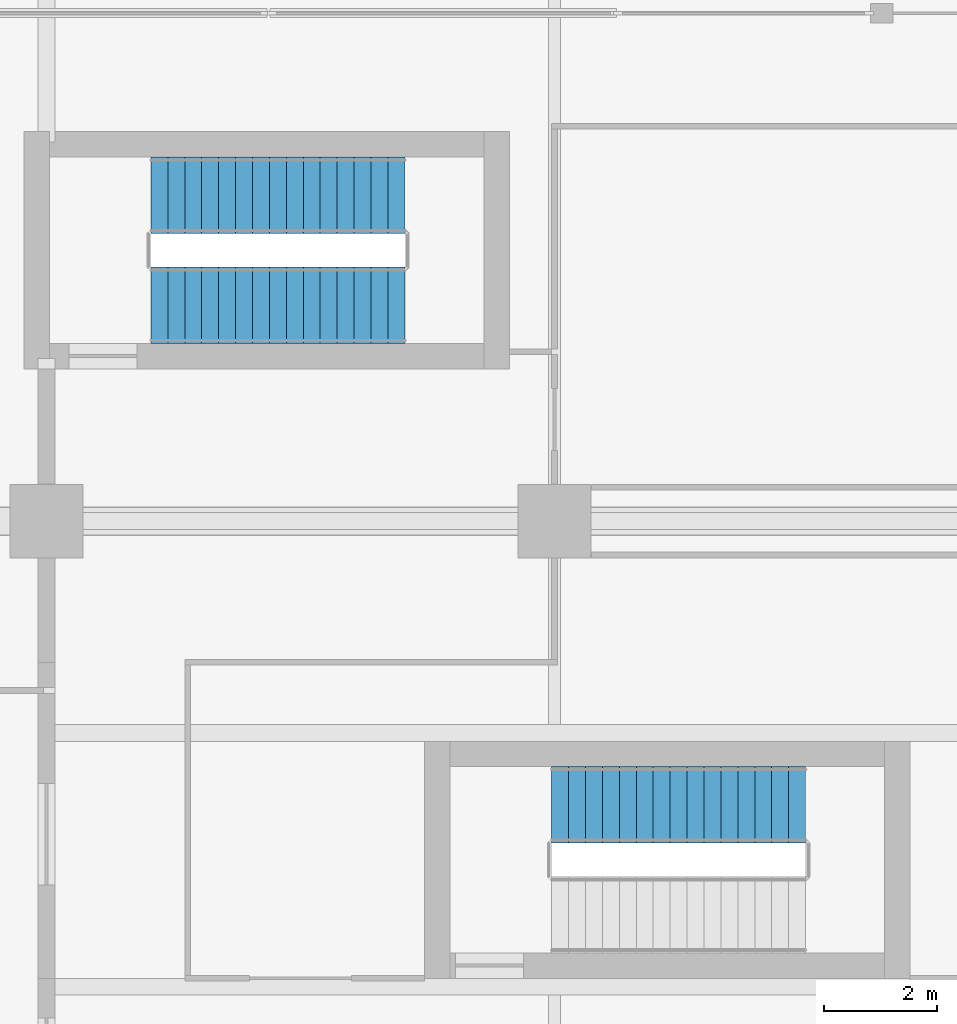
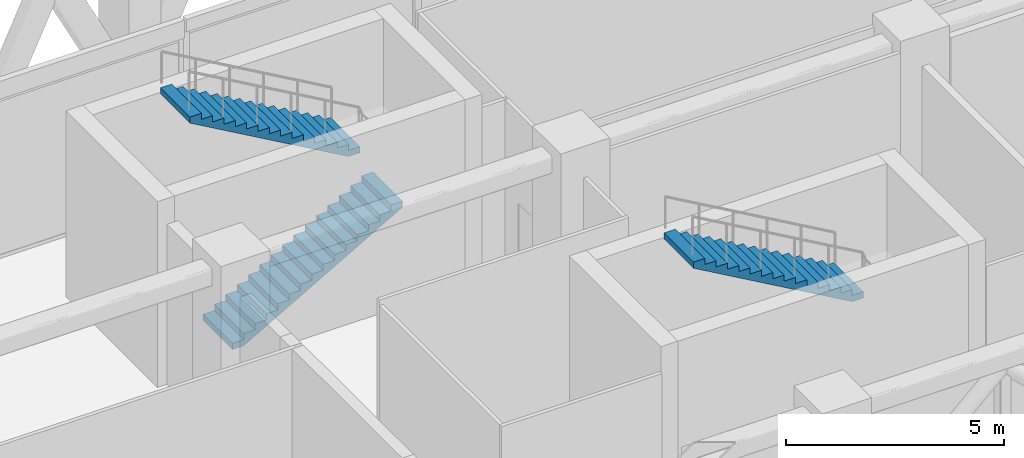
# One storey, part 26 of 37: 3 stair flights, 2 elements without a shape of their own.
"""IFC4 building model written with IfcOpenShell, lengths in metres."""

import ifcopenshell
import ifcopenshell.guid

model = None  # the IFC model being written
_history = None  # IfcOwnerHistory: only IFC2X3 demands one
_inside = {}  # id of a spatial element -> (the spatial element, [elements in it])
_under = {}  # id of a project, library or spatial element -> (it, [spatial elements below it])
_declared = {}  # id of a project -> (the project, [libraries it declares])
_typed = {}  # id of a type object -> (the type object, [elements of that type])
_made_of = {}  # id of a material, layer set ... -> (it, [elements and type objects made of it])


def new_model(schema):
    """Start an empty IFC model of exactly this schema.

    Asked for "IFC4X3", IfcOpenShell would pick the latest addendum, in which some entities
    have other attributes; the version numbers below select the first issue.
    IFC2X3 requires an IfcOwnerHistory on every rooted entity: one is made here for all.
    """
    global model, _history
    if schema == "IFC4X3":
        model = ifcopenshell.file(schema_version=(4, 3, 0, 0))
    else:
        model = ifcopenshell.file(schema=schema)
    _inside.clear()
    _under.clear()
    _declared.clear()
    _typed.clear()
    _made_of.clear()
    _history = None
    if model.schema == "IFC2X3":
        org = make("IfcOrganization", Name="unknown")
        user = make(
            "IfcPersonAndOrganization",
            ThePerson=make("IfcPerson", FamilyName="unknown"),
            TheOrganization=org,
        )
        app = make(
            "IfcApplication",
            ApplicationDeveloper=org,
            Version="unknown",
            ApplicationFullName="unknown",
            ApplicationIdentifier="unknown",
        )
        _history = make(
            "IfcOwnerHistory",
            OwningUser=user,
            OwningApplication=app,
            ChangeAction="ADDED",
            CreationDate=0,
        )
    return model


def make(cls, **values):
    """One entity of the class cls with the attributes given. An attribute that is None is left unset."""
    return model.create_entity(
        cls, **{name: value for name, value in values.items() if value is not None}
    )


def rooted(cls, **values):
    """An entity with a GlobalId (a new one), such as an element, a storey or a relation."""
    return make(cls, GlobalId=ifcopenshell.guid.new(), OwnerHistory=_history, **values)


def si_unit(unit_type, name, prefix=None):
    """IfcSIUnit, for example si_unit("LENGTHUNIT", "METRE", prefix="MILLI")."""
    return make("IfcSIUnit", UnitType=unit_type, Prefix=prefix, Name=name)


def assignment(units):
    """IfcUnitAssignment: the units of a project."""
    return None if units is None else make("IfcUnitAssignment", Units=units)


def point(xyz):
    """IfcCartesianPoint."""
    return None if xyz is None else make("IfcCartesianPoint", Coordinates=xyz)


def direction(xyz):
    """IfcDirection."""
    return None if xyz is None else make("IfcDirection", DirectionRatios=xyz)


def frame(location, z_axis=None, x_axis=None):
    """IfcAxis2Placement3D, a coordinate frame: its origin and axes. An axis left out is left unset."""
    return make(
        "IfcAxis2Placement3D",
        Location=point(location),
        Axis=direction(z_axis),
        RefDirection=direction(x_axis),
    )


def origin():
    """The frame at (0, 0, 0) with its axes left unset."""
    return frame((0.0, 0.0, 0.0))


def place(relative_to, where):
    """IfcLocalPlacement: puts the frame where relative to a parent placement (None: the world)."""
    return make(
        "IfcLocalPlacement", PlacementRelTo=relative_to, RelativePlacement=where
    )


def context(
    kind, dimensions, precision=None, world=None, true_north=None, identifier=None
):
    """IfcGeometricRepresentationContext, for example the 3D "Model" context."""
    return make(
        "IfcGeometricRepresentationContext",
        ContextIdentifier=identifier,
        ContextType=kind,
        CoordinateSpaceDimension=dimensions,
        Precision=precision,
        WorldCoordinateSystem=world,
        TrueNorth=true_north,
    )


def subcontext(parent, identifier, kind, view, scale=None):
    """IfcGeometricRepresentationSubContext, for example "Body" below "Model"."""
    return make(
        "IfcGeometricRepresentationSubContext",
        ContextIdentifier=identifier,
        ContextType=kind,
        ParentContext=parent,
        TargetScale=scale,
        TargetView=view,
    )


def project(units=None, contexts=None):
    """IfcProject with its units and contexts."""
    return rooted(
        "IfcProject",
        Name="project",
        RepresentationContexts=contexts,
        UnitsInContext=assignment(units),
    )


def spatial(cls, under=None, at=None, **own):
    """A site, building, storey or space (cls), placed at a placement, below another one or the project."""
    s = rooted(cls, ObjectPlacement=at, **own)
    if under is not None:
        _under.setdefault(under.id(), (under, []))[1].append(s)
    return s


def polyline(points):
    """IfcPolyline through the points."""
    return make("IfcPolyline", Points=[point(p) for p in points])


def outline(outer, holes=None, kind="AREA"):
    """IfcArbitraryClosedProfileDef: a profile drawn as a closed curve; with holes, ...WithVoids."""
    if holes is None:
        return make("IfcArbitraryClosedProfileDef", ProfileType=kind, OuterCurve=outer)
    return make(
        "IfcArbitraryProfileDefWithVoids",
        ProfileType=kind,
        OuterCurve=outer,
        InnerCurves=holes,
    )


def extrude(swept, where, along, depth):
    """IfcExtrudedAreaSolid: the profile swept, set in the frame where, extruded along a direction by depth."""
    return make(
        "IfcExtrudedAreaSolid",
        SweptArea=swept,
        Position=where,
        ExtrudedDirection=direction(along),
        Depth=depth,
    )


def shape(context_of_items, identifier, shape_type, items):
    """IfcShapeRepresentation: the items that make up one representation, for example the "Body"."""
    return make(
        "IfcShapeRepresentation",
        ContextOfItems=context_of_items,
        RepresentationIdentifier=identifier,
        RepresentationType=shape_type,
        Items=items,
    )


def material(Name=None, Category=None):
    """IfcMaterial."""
    return make("IfcMaterial", Name=Name, Category=Category)


def made_of(thing, what):
    """Note that an element or type object is made of a material, layer set ...; save() writes the relation."""
    if what is not None:
        _made_of.setdefault(what.id(), (what, []))[1].append(thing)
    return thing


def type_object(cls, material=None, **own):
    """A type object (cls), such as IfcWallType, which elements share."""
    return made_of(rooted(cls, **own), material)


def element(
    cls,
    number,
    at=None,
    inside=None,
    cuts=None,
    type_object=None,
    material=None,
    context=None,
    identifier="Body",
    shape_type=None,
    held_by="IfcProductDefinitionShape",
    body=None,
    shapes=None,
    **own,
):
    """One element of the class cls, such as IfcWall. Its Tag is "e" and its number.

    at: its placement. inside: the storey or other place that contains it. cuts: it is an
    opening in that element (IfcRelVoidsElement). A single representation is given by context,
    identifier, shape_type and body (its items); several are given by shapes. held_by: the class
    of the entity that holds the representations. save() writes the other relations.
    """
    e = rooted(cls, Tag="e%d" % number, ObjectPlacement=at, **own)
    if body is not None:
        shapes = [shape(context, identifier, shape_type, body)]
    if shapes is not None:
        e.Representation = make(held_by, Representations=shapes)
    if inside is not None:
        _inside.setdefault(inside.id(), (inside, []))[1].append(e)
    if cuts is not None:
        rooted(
            "IfcRelVoidsElement", RelatingBuildingElement=cuts, RelatedOpeningElement=e
        )
    if type_object is not None:
        _typed.setdefault(type_object.id(), (type_object, []))[1].append(e)
    return made_of(e, material)


def aggregate(whole, parts):
    """IfcRelAggregates: a whole, such as a stair, and the parts it consists of."""
    return rooted("IfcRelAggregates", RelatingObject=whole, RelatedObjects=parts)


def save(model, path):
    """Write the relations noted so far, then the file.

    IfcRelAggregates (storeys below a building ...), IfcRelContainedInSpatialStructure (elements
    in a storey), IfcRelDefinesByType, IfcRelAssociatesMaterial and IfcRelDeclares: one each for
    every whole, place, type object, material and project.
    """
    for whole, parts in _under.values():
        aggregate(whole, parts)
    for where, things in _inside.values():
        rooted(
            "IfcRelContainedInSpatialStructure",
            RelatedElements=things,
            RelatingStructure=where,
        )
    for kind, things in _typed.values():
        rooted("IfcRelDefinesByType", RelatedObjects=things, RelatingType=kind)
    for what, things in _made_of.values():
        rooted("IfcRelAssociatesMaterial", RelatedObjects=things, RelatingMaterial=what)
    for by, libraries in _declared.values():
        rooted("IfcRelDeclares", RelatingContext=by, RelatedDefinitions=libraries)
    model.write(path)


model = new_model("IFC4")

# Units and contexts
model_context = context("Model", 3, precision=1e-05, world=origin(), true_north=direction((0.0, 1.0)))
body_context = subcontext(model_context, "Body", "Model", "MODEL_VIEW")
ifc_project = project(units=[si_unit("LENGTHUNIT", "METRE"), si_unit("AREAUNIT", "SQUARE_METRE"), si_unit("VOLUMEUNIT", "CUBIC_METRE"), si_unit("PLANEANGLEUNIT", "RADIAN"), si_unit("MASSUNIT", "GRAM", prefix="KILO")], contexts=[model_context])

# Site, building, storey
site_placement = place(None, origin())
site = spatial("IfcSite", under=ifc_project, at=site_placement, CompositionType="ELEMENT")
building_placement = place(site_placement, origin())
building = spatial("IfcBuilding", under=site, at=building_placement, Name="Brondeck Convention Tower", CompositionType="ELEMENT")
storey_placement = place(building_placement, frame((0.0, 0.0, 137.89990234375)))
storey = spatial("IfcBuildingStorey", under=building, at=storey_placement, Name="L33", CompositionType="ELEMENT", Elevation=137.89990234375)

# Stair, stair flights
ifc_material = material(Name="Precast concrete C50/60", Category="concrete")
stair_type = type_object("IfcStairType", Name="Core stair 32 risers 171.88 mm riser 300 mm going 1350 wide", PredefinedType="HALF_TURN_STAIR", material=ifc_material)
stair_1_placement = place(storey_placement, origin())
stair_1 = element("IfcStair", 1, at=stair_1_placement, inside=storey, type_object=stair_type, Name="ST-AE L33 stair", PredefinedType="HALF_TURN_STAIR")
stair_flight_type = type_object("IfcStairFlightType", Name="Core stair flight 32 risers 171.88 mm riser 300 mm going 1350 wide", PredefinedType="STRAIGHT", material=ifc_material)
stair_flight_1_placement = place(storey_placement, frame((37.85009765625, 54.824951171875, 0.0), z_axis=(0.0, 0.0, 1.0), x_axis=(1.0, 0.0, 0.0)))
stair_flight_1 = element("IfcStairFlight", 2, at=stair_flight_1_placement, type_object=stair_flight_type, Name="ST-AE flight 1", NumberOfRisers=16, NumberOfTreads=15, PredefinedType="STRAIGHT", RiserHeight=0.171875, TreadLength=0.3, context=body_context, shape_type="SweptSolid", body=[
    extrude(outline(polyline([(0.0, 0.0), (0.0, 0.171875), (0.300048828125, 0.171875), (0.300048828125, 0.34375), (0.60009765625, 0.34375), (0.60009765625, 0.515625), (0.89990234375, 0.515625), (0.89990234375, 0.6875), (1.199951171875, 0.6875), (1.199951171875, 0.859375), (1.5, 0.859375), (1.5, 1.03125), (1.800048828125, 1.03125), (1.800048828125, 1.203125), (2.10009765625, 1.203125), (2.10009765625, 1.375), (2.39990234375, 1.375), (2.39990234375, 1.546875), (2.699951171875, 1.546875), (2.699951171875, 1.71875), (3.0, 1.71875), (3.0, 1.890625), (3.300048828125, 1.890625), (3.300048828125, 2.0625), (3.60009765625, 2.0625), (3.60009765625, 2.234375), (3.89990234375, 2.234375), (3.89990234375, 2.40625), (4.199951171875, 2.40625), (4.199951171875, 2.578125), (4.5, 2.578125), (4.5, 2.75), (4.5, 2.4052734375), (0.301513671875, 0.0), (0.0, 0.0)])), frame((0.0, 0.675048828125, 0.0), z_axis=(0.0, -1.0, 0.0), x_axis=(1.0, 0.0, 0.0)), (0.0, 0.0, 1.0), 1.35009765625),
])
stair_flight_2_placement = place(storey_placement, frame((42.35009765625, 56.77490234375, 2.75), z_axis=(0.0, 0.0, 1.0), x_axis=(-1.0, 0.0, 0.0)))
stair_flight_2 = element("IfcStairFlight", 3, at=stair_flight_2_placement, type_object=stair_flight_type, Name="ST-AE flight 2", NumberOfRisers=16, NumberOfTreads=15, PredefinedType="STRAIGHT", RiserHeight=0.171875, TreadLength=0.3, context=body_context, shape_type="SweptSolid", body=[
    extrude(outline(polyline([(0.0, 0.0), (0.0, 0.171875), (0.300048828125, 0.171875), (0.300048828125, 0.34375), (0.60009765625, 0.34375), (0.60009765625, 0.515625), (0.89990234375, 0.515625), (0.89990234375, 0.6875), (1.199951171875, 0.6875), (1.199951171875, 0.859375), (1.5, 0.859375), (1.5, 1.03125), (1.800048828125, 1.03125), (1.800048828125, 1.203125), (2.10009765625, 1.203125), (2.10009765625, 1.375), (2.39990234375, 1.375), (2.39990234375, 1.546875), (2.699951171875, 1.546875), (2.699951171875, 1.71875), (3.0, 1.71875), (3.0, 1.890625), (3.300048828125, 1.890625), (3.300048828125, 2.0625), (3.60009765625, 2.0625), (3.60009765625, 2.234375), (3.89990234375, 2.234375), (3.89990234375, 2.40625), (4.199951171875, 2.40625), (4.199951171875, 2.578125), (4.5, 2.578125), (4.5, 2.75), (4.5, 2.4052734375), (0.301513671875, 0.0), (0.0, 0.0)])), frame((0.0, 0.675048828125, 0.0), z_axis=(0.0, -1.0, 0.0), x_axis=(1.0, 0.0, 0.0)), (0.0, 0.0, 1.0), 1.35009765625),
])
aggregate(stair_1, [stair_flight_1, stair_flight_2])

# Stair, stair flight
stair_2_placement = place(storey_placement, origin())
stair_2 = element("IfcStair", 4, at=stair_2_placement, inside=storey, type_object=stair_type, Name="ST-AF L33 stair", PredefinedType="HALF_TURN_STAIR")
stair_flight_3_placement = place(storey_placement, frame((49.449951171875, 45.97509765625, 2.75), z_axis=(0.0, 0.0, 1.0), x_axis=(-1.0, 0.0, 0.0)))
stair_flight_3 = element("IfcStairFlight", 5, at=stair_flight_3_placement, type_object=stair_flight_type, Name="ST-AF flight 2", NumberOfRisers=16, NumberOfTreads=15, PredefinedType="STRAIGHT", RiserHeight=0.171875, TreadLength=0.3, context=body_context, shape_type="SweptSolid", body=[
    extrude(outline(polyline([(0.0, 0.0), (0.0, 0.171875), (0.300048828125, 0.171875), (0.300048828125, 0.34375), (0.60009765625, 0.34375), (0.60009765625, 0.515625), (0.89990234375, 0.515625), (0.89990234375, 0.6875), (1.199951171875, 0.6875), (1.199951171875, 0.859375), (1.5, 0.859375), (1.5, 1.03125), (1.800048828125, 1.03125), (1.800048828125, 1.203125), (2.10009765625, 1.203125), (2.10009765625, 1.375), (2.39990234375, 1.375), (2.39990234375, 1.546875), (2.699951171875, 1.546875), (2.699951171875, 1.71875), (3.0, 1.71875), (3.0, 1.890625), (3.300048828125, 1.890625), (3.300048828125, 2.0625), (3.60009765625, 2.0625), (3.60009765625, 2.234375), (3.89990234375, 2.234375), (3.89990234375, 2.40625), (4.199951171875, 2.40625), (4.199951171875, 2.578125), (4.5, 2.578125), (4.5, 2.75), (4.5, 2.4052734375), (0.301513671875, 0.0), (0.0, 0.0)])), frame((0.0, 0.675048828125, 0.0), z_axis=(0.0, -1.0, 0.0), x_axis=(1.0, 0.0, 0.0)), (0.0, 0.0, 1.0), 1.35009765625),
])
aggregate(stair_2, [stair_flight_3])

save(model, "model.ifc")
